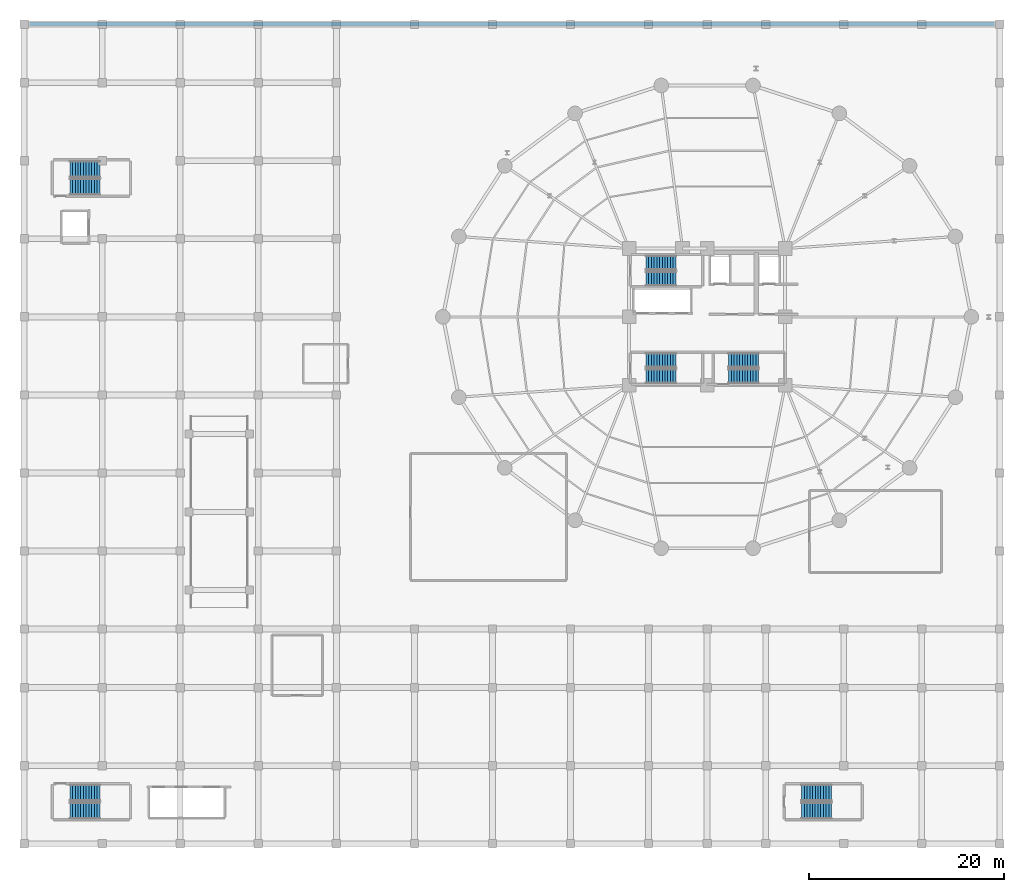
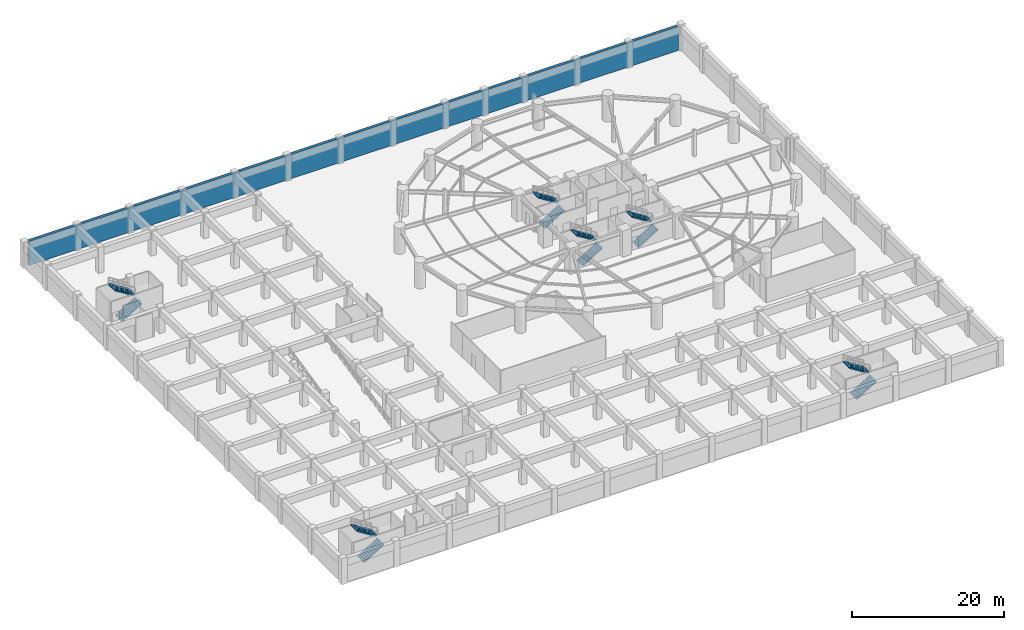
# One storey, part 14 of 20: 12 stair flights, 1 wall, 6 elements without a shape of their own.
"""IFC4 building model written with IfcOpenShell, lengths in metres."""

import ifcopenshell
import ifcopenshell.guid

model = None  # the IFC model being written
_history = None  # IfcOwnerHistory: only IFC2X3 demands one
_inside = {}  # id of a spatial element -> (the spatial element, [elements in it])
_under = {}  # id of a project, library or spatial element -> (it, [spatial elements below it])
_declared = {}  # id of a project -> (the project, [libraries it declares])
_typed = {}  # id of a type object -> (the type object, [elements of that type])
_made_of = {}  # id of a material, layer set ... -> (it, [elements and type objects made of it])


def new_model(schema):
    """Start an empty IFC model of exactly this schema.

    Asked for "IFC4X3", IfcOpenShell would pick the latest addendum, in which some entities
    have other attributes; the version numbers below select the first issue.
    IFC2X3 requires an IfcOwnerHistory on every rooted entity: one is made here for all.
    """
    global model, _history
    if schema == "IFC4X3":
        model = ifcopenshell.file(schema_version=(4, 3, 0, 0))
    else:
        model = ifcopenshell.file(schema=schema)
    _inside.clear()
    _under.clear()
    _declared.clear()
    _typed.clear()
    _made_of.clear()
    _history = None
    if model.schema == "IFC2X3":
        org = make("IfcOrganization", Name="unknown")
        user = make(
            "IfcPersonAndOrganization",
            ThePerson=make("IfcPerson", FamilyName="unknown"),
            TheOrganization=org,
        )
        app = make(
            "IfcApplication",
            ApplicationDeveloper=org,
            Version="unknown",
            ApplicationFullName="unknown",
            ApplicationIdentifier="unknown",
        )
        _history = make(
            "IfcOwnerHistory",
            OwningUser=user,
            OwningApplication=app,
            ChangeAction="ADDED",
            CreationDate=0,
        )
    return model


def make(cls, **values):
    """One entity of the class cls with the attributes given. An attribute that is None is left unset."""
    return model.create_entity(
        cls, **{name: value for name, value in values.items() if value is not None}
    )


def rooted(cls, **values):
    """An entity with a GlobalId (a new one), such as an element, a storey or a relation."""
    return make(cls, GlobalId=ifcopenshell.guid.new(), OwnerHistory=_history, **values)


def si_unit(unit_type, name, prefix=None):
    """IfcSIUnit, for example si_unit("LENGTHUNIT", "METRE", prefix="MILLI")."""
    return make("IfcSIUnit", UnitType=unit_type, Prefix=prefix, Name=name)


def assignment(units):
    """IfcUnitAssignment: the units of a project."""
    return None if units is None else make("IfcUnitAssignment", Units=units)


def point(xyz):
    """IfcCartesianPoint."""
    return None if xyz is None else make("IfcCartesianPoint", Coordinates=xyz)


def direction(xyz):
    """IfcDirection."""
    return None if xyz is None else make("IfcDirection", DirectionRatios=xyz)


def frame(location, z_axis=None, x_axis=None):
    """IfcAxis2Placement3D, a coordinate frame: its origin and axes. An axis left out is left unset."""
    return make(
        "IfcAxis2Placement3D",
        Location=point(location),
        Axis=direction(z_axis),
        RefDirection=direction(x_axis),
    )


def frame_2d(location, x_axis=None):
    """IfcAxis2Placement2D, a coordinate frame in the plane: its origin and x axis."""
    return make(
        "IfcAxis2Placement2D", Location=point(location), RefDirection=direction(x_axis)
    )


def origin():
    """The frame at (0, 0, 0) with its axes left unset."""
    return frame((0.0, 0.0, 0.0))


def place(relative_to, where):
    """IfcLocalPlacement: puts the frame where relative to a parent placement (None: the world)."""
    return make(
        "IfcLocalPlacement", PlacementRelTo=relative_to, RelativePlacement=where
    )


def context(
    kind, dimensions, precision=None, world=None, true_north=None, identifier=None
):
    """IfcGeometricRepresentationContext, for example the 3D "Model" context."""
    return make(
        "IfcGeometricRepresentationContext",
        ContextIdentifier=identifier,
        ContextType=kind,
        CoordinateSpaceDimension=dimensions,
        Precision=precision,
        WorldCoordinateSystem=world,
        TrueNorth=true_north,
    )


def subcontext(parent, identifier, kind, view, scale=None):
    """IfcGeometricRepresentationSubContext, for example "Body" below "Model"."""
    return make(
        "IfcGeometricRepresentationSubContext",
        ContextIdentifier=identifier,
        ContextType=kind,
        ParentContext=parent,
        TargetScale=scale,
        TargetView=view,
    )


def project(units=None, contexts=None):
    """IfcProject with its units and contexts."""
    return rooted(
        "IfcProject",
        Name="project",
        RepresentationContexts=contexts,
        UnitsInContext=assignment(units),
    )


def spatial(cls, under=None, at=None, **own):
    """A site, building, storey or space (cls), placed at a placement, below another one or the project."""
    s = rooted(cls, ObjectPlacement=at, **own)
    if under is not None:
        _under.setdefault(under.id(), (under, []))[1].append(s)
    return s


def polyline(points):
    """IfcPolyline through the points."""
    return make("IfcPolyline", Points=[point(p) for p in points])


def profile(cls, at=None, kind="AREA", **sizes):
    """A parametric profile (cls). Its sizes go by their IFC names, for example OverallWidth=200.0."""
    return make(cls, ProfileType=kind, Position=at, **sizes)


def rectangle(**sizes):
    """IfcRectangleProfileDef."""
    return profile("IfcRectangleProfileDef", **sizes)


def outline(outer, holes=None, kind="AREA"):
    """IfcArbitraryClosedProfileDef: a profile drawn as a closed curve; with holes, ...WithVoids."""
    if holes is None:
        return make("IfcArbitraryClosedProfileDef", ProfileType=kind, OuterCurve=outer)
    return make(
        "IfcArbitraryProfileDefWithVoids",
        ProfileType=kind,
        OuterCurve=outer,
        InnerCurves=holes,
    )


def extrude(swept, where, along, depth):
    """IfcExtrudedAreaSolid: the profile swept, set in the frame where, extruded along a direction by depth."""
    return make(
        "IfcExtrudedAreaSolid",
        SweptArea=swept,
        Position=where,
        ExtrudedDirection=direction(along),
        Depth=depth,
    )


def shape(context_of_items, identifier, shape_type, items):
    """IfcShapeRepresentation: the items that make up one representation, for example the "Body"."""
    return make(
        "IfcShapeRepresentation",
        ContextOfItems=context_of_items,
        RepresentationIdentifier=identifier,
        RepresentationType=shape_type,
        Items=items,
    )


def material(Name=None, Category=None):
    """IfcMaterial."""
    return make("IfcMaterial", Name=Name, Category=Category)


def layer(
    of_material, thickness, ventilated=None, Name=None, Category=None, Priority=None
):
    """IfcMaterialLayer: one layer of a wall or slab, of a material (None: an air gap)."""
    return make(
        "IfcMaterialLayer",
        Material=of_material,
        LayerThickness=thickness,
        IsVentilated=ventilated,
        Name=Name,
        Category=Category,
        Priority=Priority,
    )


def layer_set(layers, Name=None):
    """IfcMaterialLayerSet."""
    return make("IfcMaterialLayerSet", MaterialLayers=layers, LayerSetName=Name)


def made_of(thing, what):
    """Note that an element or type object is made of a material, layer set ...; save() writes the relation."""
    if what is not None:
        _made_of.setdefault(what.id(), (what, []))[1].append(thing)
    return thing


def type_object(cls, material=None, **own):
    """A type object (cls), such as IfcWallType, which elements share."""
    return made_of(rooted(cls, **own), material)


def element(
    cls,
    number,
    at=None,
    inside=None,
    cuts=None,
    type_object=None,
    material=None,
    context=None,
    identifier="Body",
    shape_type=None,
    held_by="IfcProductDefinitionShape",
    body=None,
    shapes=None,
    **own,
):
    """One element of the class cls, such as IfcWall. Its Tag is "e" and its number.

    at: its placement. inside: the storey or other place that contains it. cuts: it is an
    opening in that element (IfcRelVoidsElement). A single representation is given by context,
    identifier, shape_type and body (its items); several are given by shapes. held_by: the class
    of the entity that holds the representations. save() writes the other relations.
    """
    e = rooted(cls, Tag="e%d" % number, ObjectPlacement=at, **own)
    if body is not None:
        shapes = [shape(context, identifier, shape_type, body)]
    if shapes is not None:
        e.Representation = make(held_by, Representations=shapes)
    if inside is not None:
        _inside.setdefault(inside.id(), (inside, []))[1].append(e)
    if cuts is not None:
        rooted(
            "IfcRelVoidsElement", RelatingBuildingElement=cuts, RelatedOpeningElement=e
        )
    if type_object is not None:
        _typed.setdefault(type_object.id(), (type_object, []))[1].append(e)
    return made_of(e, material)


def aggregate(whole, parts):
    """IfcRelAggregates: a whole, such as a stair, and the parts it consists of."""
    return rooted("IfcRelAggregates", RelatingObject=whole, RelatedObjects=parts)


def save(model, path):
    """Write the relations noted so far, then the file.

    IfcRelAggregates (storeys below a building ...), IfcRelContainedInSpatialStructure (elements
    in a storey), IfcRelDefinesByType, IfcRelAssociatesMaterial and IfcRelDeclares: one each for
    every whole, place, type object, material and project.
    """
    for whole, parts in _under.values():
        aggregate(whole, parts)
    for where, things in _inside.values():
        rooted(
            "IfcRelContainedInSpatialStructure",
            RelatedElements=things,
            RelatingStructure=where,
        )
    for kind, things in _typed.values():
        rooted("IfcRelDefinesByType", RelatedObjects=things, RelatingType=kind)
    for what, things in _made_of.values():
        rooted("IfcRelAssociatesMaterial", RelatedObjects=things, RelatingMaterial=what)
    for by, libraries in _declared.values():
        rooted("IfcRelDeclares", RelatingContext=by, RelatedDefinitions=libraries)
    model.write(path)


model = new_model("IFC4")

# Units and contexts
model_context = context("Model", 3, precision=1e-05, world=origin(), true_north=direction((0.0, 1.0)))
body_context = subcontext(model_context, "Body", "Model", "MODEL_VIEW")
ifc_project = project(units=[si_unit("LENGTHUNIT", "METRE"), si_unit("AREAUNIT", "SQUARE_METRE"), si_unit("VOLUMEUNIT", "CUBIC_METRE"), si_unit("PLANEANGLEUNIT", "RADIAN"), si_unit("MASSUNIT", "GRAM", prefix="KILO")], contexts=[model_context])

# Site, building, storey
site_placement = place(None, origin())
site = spatial("IfcSite", under=ifc_project, at=site_placement, CompositionType="ELEMENT")
building_placement = place(site_placement, origin())
building = spatial("IfcBuilding", under=site, at=building_placement, Name="Kelanora Arch Commons", CompositionType="ELEMENT")
storey_placement = place(building_placement, frame((0.0, 0.0, -4.199951171875)))
storey = spatial("IfcBuildingStorey", under=building, at=storey_placement, Name="B01", CompositionType="ELEMENT", Elevation=-4.199951171875)

# Wall
ifc_material_1 = material(Name="Concrete C45/55 waterproofed retaining wall", Category="concrete")
ifc_layer = layer(ifc_material_1, 0.39990234375)
ifc_layer_set = layer_set([ifc_layer], Name="Concrete C45/55 waterproofed retaining wall")
wall_type = type_object("IfcWallType", Name="W-BSMT-RET", PredefinedType="USERDEFINED", material=ifc_layer_set)
wall_placement = place(storey_placement, frame((103.449951171875, 88.0, 0.0), z_axis=(0.0, 0.0, 1.0), x_axis=(-1.0, 0.0, 0.0)))
element("IfcWall", 1, at=wall_placement, inside=storey, type_object=wall_type, Name="Basement Retaining Wall B01-3", ObjectType="RETAININGWALL", PredefinedType="USERDEFINED", context=body_context, shape_type="SweptSolid", body=[
    extrude(rectangle(XDim=98.89990234375, YDim=0.39990234375, at=frame_2d((49.449951171875, 0.0))), origin(), (0.0, 0.0, 1.0), 3.89990234375),
])

# Stair, stair flights
ifc_material_2 = material(Name="Concrete C40/50", Category="concrete")
stair_type = type_object("IfcStairType", Name="STR-DL-420", PredefinedType="HALF_TURN_STAIR", material=ifc_material_2)
stair_1_placement = place(storey_placement, origin())
stair_1 = element("IfcStair", 2, at=stair_1_placement, inside=storey, type_object=stair_type, Name="B01 ST-T1", PredefinedType="HALF_TURN_STAIR")
stair_flight_type = type_object("IfcStairFlightType", Name="FLT-DL-420", PredefinedType="STRAIGHT", material=ifc_material_2)
stair_flight_1_placement = place(storey_placement, frame((67.719970703125, 61.919921875, 0.0), z_axis=(0.0, 0.0, 1.0), x_axis=(1.0, 0.0, 0.0)))
stair_flight_1 = element("IfcStairFlight", 3, at=stair_flight_1_placement, type_object=stair_flight_type, Name="ST-T1 flight 1", NumberOfRisers=12, NumberOfTreads=11, PredefinedType="STRAIGHT", RiserHeight=0.175, TreadLength=0.28, context=body_context, shape_type="SweptSolid", body=[
    extrude(outline(polyline([(0.0, 0.0), (0.0, 0.175048828125), (0.280029296875, 0.175048828125), (0.280029296875, 0.35009765625), (0.56005859375, 0.35009765625), (0.56005859375, 0.52490234375), (0.840087890625, 0.52490234375), (0.840087890625, 0.699951171875), (1.1201171875, 0.699951171875), (1.1201171875, 0.875), (1.39990234375, 0.875), (1.39990234375, 1.050048828125), (1.679931640625, 1.050048828125), (1.679931640625, 1.22509765625), (1.9599609375, 1.22509765625), (1.9599609375, 1.39990234375), (2.239990234375, 1.39990234375), (2.239990234375, 1.574951171875), (2.52001953125, 1.574951171875), (2.52001953125, 1.75), (2.800048828125, 1.75), (2.800048828125, 1.925048828125), (3.080078125, 1.925048828125), (3.080078125, 2.10009765625), (3.080078125, 1.748291015625), (0.28271484375, 0.0), (0.0, 0.0)])), frame((0.0, 0.739990234375, 0.0), z_axis=(0.0, -1.0, 0.0), x_axis=(1.0, 0.0, 0.0)), (0.0, 0.0, 1.0), 1.47998046875),
])
stair_flight_2_placement = place(storey_placement, frame((70.800048828125, 63.550048828125, 2.099853515625), z_axis=(0.0, 0.0, 1.0), x_axis=(-1.0, 0.0, 0.0)))
stair_flight_2 = element("IfcStairFlight", 4, at=stair_flight_2_placement, type_object=stair_flight_type, Name="ST-T1 flight 2", NumberOfRisers=12, NumberOfTreads=11, PredefinedType="STRAIGHT", RiserHeight=0.175, TreadLength=0.28, context=body_context, shape_type="SweptSolid", body=[
    extrude(outline(polyline([(0.0, 0.0), (0.0, 0.175048828125), (0.280029296875, 0.175048828125), (0.280029296875, 0.35009765625), (0.56005859375, 0.35009765625), (0.56005859375, 0.52490234375), (0.840087890625, 0.52490234375), (0.840087890625, 0.699951171875), (1.1201171875, 0.699951171875), (1.1201171875, 0.875), (1.39990234375, 0.875), (1.39990234375, 1.050048828125), (1.679931640625, 1.050048828125), (1.679931640625, 1.22509765625), (1.9599609375, 1.22509765625), (1.9599609375, 1.39990234375), (2.239990234375, 1.39990234375), (2.239990234375, 1.574951171875), (2.52001953125, 1.574951171875), (2.52001953125, 1.75), (2.800048828125, 1.75), (2.800048828125, 1.925048828125), (3.080078125, 1.925048828125), (3.080078125, 2.10009765625), (3.080078125, 1.748291015625), (0.28271484375, 0.0), (0.0, 0.0)])), frame((0.0, 0.739990234375, 0.0), z_axis=(0.0, -1.0, 0.0), x_axis=(1.0, 0.0, 0.0)), (0.0, 0.0, 1.0), 1.47998046875),
])
aggregate(stair_1, [stair_flight_1, stair_flight_2])

stair_2_placement = place(storey_placement, origin())
stair_2 = element("IfcStair", 5, at=stair_2_placement, inside=storey, type_object=stair_type, Name="B01 ST-T2", PredefinedType="HALF_TURN_STAIR")
stair_flight_3_placement = place(storey_placement, frame((76.199951171875, 51.919921875, 0.0), z_axis=(0.0, 0.0, 1.0), x_axis=(1.0, 0.0, 0.0)))
stair_flight_3 = element("IfcStairFlight", 6, at=stair_flight_3_placement, type_object=stair_flight_type, Name="ST-T2 flight 1", NumberOfRisers=12, NumberOfTreads=11, PredefinedType="STRAIGHT", RiserHeight=0.175, TreadLength=0.28, context=body_context, shape_type="SweptSolid", body=[
    extrude(outline(polyline([(0.0, 0.0), (0.0, 0.175048828125), (0.280029296875, 0.175048828125), (0.280029296875, 0.35009765625), (0.56005859375, 0.35009765625), (0.56005859375, 0.52490234375), (0.840087890625, 0.52490234375), (0.840087890625, 0.699951171875), (1.1201171875, 0.699951171875), (1.1201171875, 0.875), (1.39990234375, 0.875), (1.39990234375, 1.050048828125), (1.679931640625, 1.050048828125), (1.679931640625, 1.22509765625), (1.9599609375, 1.22509765625), (1.9599609375, 1.39990234375), (2.239990234375, 1.39990234375), (2.239990234375, 1.574951171875), (2.52001953125, 1.574951171875), (2.52001953125, 1.75), (2.800048828125, 1.75), (2.800048828125, 1.925048828125), (3.080078125, 1.925048828125), (3.080078125, 2.10009765625), (3.080078125, 1.748291015625), (0.28271484375, 0.0), (0.0, 0.0)])), frame((0.0, 0.739990234375, 0.0), z_axis=(0.0, -1.0, 0.0), x_axis=(1.0, 0.0, 0.0)), (0.0, 0.0, 1.0), 1.47998046875),
])
stair_flight_4_placement = place(storey_placement, frame((79.280029296875, 53.550048828125, 2.099853515625), z_axis=(0.0, 0.0, 1.0), x_axis=(-1.0, 0.0, 0.0)))
stair_flight_4 = element("IfcStairFlight", 7, at=stair_flight_4_placement, type_object=stair_flight_type, Name="ST-T2 flight 2", NumberOfRisers=12, NumberOfTreads=11, PredefinedType="STRAIGHT", RiserHeight=0.175, TreadLength=0.28, context=body_context, shape_type="SweptSolid", body=[
    extrude(outline(polyline([(0.0, 0.0), (0.0, 0.175048828125), (0.280029296875, 0.175048828125), (0.280029296875, 0.35009765625), (0.56005859375, 0.35009765625), (0.56005859375, 0.52490234375), (0.840087890625, 0.52490234375), (0.840087890625, 0.699951171875), (1.1201171875, 0.699951171875), (1.1201171875, 0.875), (1.39990234375, 0.875), (1.39990234375, 1.050048828125), (1.679931640625, 1.050048828125), (1.679931640625, 1.22509765625), (1.9599609375, 1.22509765625), (1.9599609375, 1.39990234375), (2.239990234375, 1.39990234375), (2.239990234375, 1.574951171875), (2.52001953125, 1.574951171875), (2.52001953125, 1.75), (2.800048828125, 1.75), (2.800048828125, 1.925048828125), (3.080078125, 1.925048828125), (3.080078125, 2.10009765625), (3.080078125, 1.748291015625), (0.28271484375, 0.0), (0.0, 0.0)])), frame((0.0, 0.739990234375, 0.0), z_axis=(0.0, -1.0, 0.0), x_axis=(1.0, 0.0, 0.0)), (0.0, 0.0, 1.0), 1.47998046875),
])
aggregate(stair_2, [stair_flight_3, stair_flight_4])

stair_3_placement = place(storey_placement, origin())
stair_3 = element("IfcStair", 8, at=stair_3_placement, inside=storey, type_object=stair_type, Name="B01 ST-T3", PredefinedType="HALF_TURN_STAIR")
stair_flight_5_placement = place(storey_placement, frame((67.719970703125, 51.919921875, 0.0), z_axis=(0.0, 0.0, 1.0), x_axis=(1.0, 0.0, 0.0)))
stair_flight_5 = element("IfcStairFlight", 9, at=stair_flight_5_placement, type_object=stair_flight_type, Name="ST-T3 flight 1", NumberOfRisers=12, NumberOfTreads=11, PredefinedType="STRAIGHT", RiserHeight=0.175, TreadLength=0.28, context=body_context, shape_type="SweptSolid", body=[
    extrude(outline(polyline([(0.0, 0.0), (0.0, 0.175048828125), (0.280029296875, 0.175048828125), (0.280029296875, 0.35009765625), (0.56005859375, 0.35009765625), (0.56005859375, 0.52490234375), (0.840087890625, 0.52490234375), (0.840087890625, 0.699951171875), (1.1201171875, 0.699951171875), (1.1201171875, 0.875), (1.39990234375, 0.875), (1.39990234375, 1.050048828125), (1.679931640625, 1.050048828125), (1.679931640625, 1.22509765625), (1.9599609375, 1.22509765625), (1.9599609375, 1.39990234375), (2.239990234375, 1.39990234375), (2.239990234375, 1.574951171875), (2.52001953125, 1.574951171875), (2.52001953125, 1.75), (2.800048828125, 1.75), (2.800048828125, 1.925048828125), (3.080078125, 1.925048828125), (3.080078125, 2.10009765625), (3.080078125, 1.748291015625), (0.28271484375, 0.0), (0.0, 0.0)])), frame((0.0, 0.739990234375, 0.0), z_axis=(0.0, -1.0, 0.0), x_axis=(1.0, 0.0, 0.0)), (0.0, 0.0, 1.0), 1.47998046875),
])
stair_flight_6_placement = place(storey_placement, frame((70.800048828125, 53.550048828125, 2.099853515625), z_axis=(0.0, 0.0, 1.0), x_axis=(-1.0, 0.0, 0.0)))
stair_flight_6 = element("IfcStairFlight", 10, at=stair_flight_6_placement, type_object=stair_flight_type, Name="ST-T3 flight 2", NumberOfRisers=12, NumberOfTreads=11, PredefinedType="STRAIGHT", RiserHeight=0.175, TreadLength=0.28, context=body_context, shape_type="SweptSolid", body=[
    extrude(outline(polyline([(0.0, 0.0), (0.0, 0.175048828125), (0.280029296875, 0.175048828125), (0.280029296875, 0.35009765625), (0.56005859375, 0.35009765625), (0.56005859375, 0.52490234375), (0.840087890625, 0.52490234375), (0.840087890625, 0.699951171875), (1.1201171875, 0.699951171875), (1.1201171875, 0.875), (1.39990234375, 0.875), (1.39990234375, 1.050048828125), (1.679931640625, 1.050048828125), (1.679931640625, 1.22509765625), (1.9599609375, 1.22509765625), (1.9599609375, 1.39990234375), (2.239990234375, 1.39990234375), (2.239990234375, 1.574951171875), (2.52001953125, 1.574951171875), (2.52001953125, 1.75), (2.800048828125, 1.75), (2.800048828125, 1.925048828125), (3.080078125, 1.925048828125), (3.080078125, 2.10009765625), (3.080078125, 1.748291015625), (0.28271484375, 0.0), (0.0, 0.0)])), frame((0.0, 0.739990234375, 0.0), z_axis=(0.0, -1.0, 0.0), x_axis=(1.0, 0.0, 0.0)), (0.0, 0.0, 1.0), 1.47998046875),
])
aggregate(stair_3, [stair_flight_5, stair_flight_6])

stair_4_placement = place(storey_placement, origin())
stair_4 = element("IfcStair", 11, at=stair_4_placement, inside=storey, type_object=stair_type, Name="B01 ST-M1", PredefinedType="HALF_TURN_STAIR")
stair_flight_7_placement = place(storey_placement, frame((8.679931640625, 7.39990234375, 0.0), z_axis=(0.0, 0.0, 1.0), x_axis=(1.0, 0.0, 0.0)))
stair_flight_7 = element("IfcStairFlight", 12, at=stair_flight_7_placement, type_object=stair_flight_type, Name="ST-M1 flight 1", NumberOfRisers=12, NumberOfTreads=11, PredefinedType="STRAIGHT", RiserHeight=0.175, TreadLength=0.28, context=body_context, shape_type="SweptSolid", body=[
    extrude(outline(polyline([(0.0, 0.0), (0.0, 0.175048828125), (0.280029296875, 0.175048828125), (0.280029296875, 0.35009765625), (0.56005859375, 0.35009765625), (0.56005859375, 0.52490234375), (0.840087890625, 0.52490234375), (0.840087890625, 0.699951171875), (1.1201171875, 0.699951171875), (1.1201171875, 0.875), (1.39990234375, 0.875), (1.39990234375, 1.050048828125), (1.679931640625, 1.050048828125), (1.679931640625, 1.22509765625), (1.9599609375, 1.22509765625), (1.9599609375, 1.39990234375), (2.239990234375, 1.39990234375), (2.239990234375, 1.574951171875), (2.52001953125, 1.574951171875), (2.52001953125, 1.75), (2.800048828125, 1.75), (2.800048828125, 1.925048828125), (3.080078125, 1.925048828125), (3.080078125, 2.10009765625), (3.080078125, 1.748291015625), (0.28271484375, 0.0), (0.0, 0.0)])), frame((0.0, 0.83984375, 0.0), z_axis=(0.0, -1.0, 0.0), x_axis=(1.0, 0.0, 0.0)), (0.0, 0.0, 1.0), 1.679931640625),
])
stair_flight_8_placement = place(storey_placement, frame((11.760009765625, 9.22998046875, 2.099853515625), z_axis=(0.0, 0.0, 1.0), x_axis=(-1.0, 0.0, 0.0)))
stair_flight_8 = element("IfcStairFlight", 13, at=stair_flight_8_placement, type_object=stair_flight_type, Name="ST-M1 flight 2", NumberOfRisers=12, NumberOfTreads=11, PredefinedType="STRAIGHT", RiserHeight=0.175, TreadLength=0.28, context=body_context, shape_type="SweptSolid", body=[
    extrude(outline(polyline([(0.0, 0.0), (0.0, 0.175048828125), (0.280029296875, 0.175048828125), (0.280029296875, 0.35009765625), (0.56005859375, 0.35009765625), (0.56005859375, 0.52490234375), (0.840087890625, 0.52490234375), (0.840087890625, 0.699951171875), (1.1201171875, 0.699951171875), (1.1201171875, 0.875), (1.39990234375, 0.875), (1.39990234375, 1.050048828125), (1.679931640625, 1.050048828125), (1.679931640625, 1.22509765625), (1.9599609375, 1.22509765625), (1.9599609375, 1.39990234375), (2.239990234375, 1.39990234375), (2.239990234375, 1.574951171875), (2.52001953125, 1.574951171875), (2.52001953125, 1.75), (2.800048828125, 1.75), (2.800048828125, 1.925048828125), (3.080078125, 1.925048828125), (3.080078125, 2.10009765625), (3.080078125, 1.748291015625), (0.28271484375, 0.0), (0.0, 0.0)])), frame((0.0, 0.83984375, 0.0), z_axis=(0.0, -1.0, 0.0), x_axis=(1.0, 0.0, 0.0)), (0.0, 0.0, 1.0), 1.679931640625),
])
aggregate(stair_4, [stair_flight_7, stair_flight_8])

stair_5_placement = place(storey_placement, origin())
stair_5 = element("IfcStair", 14, at=stair_5_placement, inside=storey, type_object=stair_type, Name="B01 ST-M2", PredefinedType="HALF_TURN_STAIR")
stair_flight_9_placement = place(storey_placement, frame((83.679931640625, 7.39990234375, 0.0), z_axis=(0.0, 0.0, 1.0), x_axis=(1.0, 0.0, 0.0)))
stair_flight_9 = element("IfcStairFlight", 15, at=stair_flight_9_placement, type_object=stair_flight_type, Name="ST-M2 flight 1", NumberOfRisers=12, NumberOfTreads=11, PredefinedType="STRAIGHT", RiserHeight=0.175, TreadLength=0.28, context=body_context, shape_type="SweptSolid", body=[
    extrude(outline(polyline([(0.0, 0.0), (0.0, 0.175048828125), (0.280029296875, 0.175048828125), (0.280029296875, 0.35009765625), (0.56005859375, 0.35009765625), (0.56005859375, 0.52490234375), (0.840087890625, 0.52490234375), (0.840087890625, 0.699951171875), (1.1201171875, 0.699951171875), (1.1201171875, 0.875), (1.39990234375, 0.875), (1.39990234375, 1.050048828125), (1.679931640625, 1.050048828125), (1.679931640625, 1.22509765625), (1.9599609375, 1.22509765625), (1.9599609375, 1.39990234375), (2.239990234375, 1.39990234375), (2.239990234375, 1.574951171875), (2.52001953125, 1.574951171875), (2.52001953125, 1.75), (2.800048828125, 1.75), (2.800048828125, 1.925048828125), (3.080078125, 1.925048828125), (3.080078125, 2.10009765625), (3.080078125, 1.748291015625), (0.28271484375, 0.0), (0.0, 0.0)])), frame((0.0, 0.83984375, 0.0), z_axis=(0.0, -1.0, 0.0), x_axis=(1.0, 0.0, 0.0)), (0.0, 0.0, 1.0), 1.679931640625),
])
stair_flight_10_placement = place(storey_placement, frame((86.760009765625, 9.22998046875, 2.099853515625), z_axis=(0.0, 0.0, 1.0), x_axis=(-1.0, 0.0, 0.0)))
stair_flight_10 = element("IfcStairFlight", 16, at=stair_flight_10_placement, type_object=stair_flight_type, Name="ST-M2 flight 2", NumberOfRisers=12, NumberOfTreads=11, PredefinedType="STRAIGHT", RiserHeight=0.175, TreadLength=0.28, context=body_context, shape_type="SweptSolid", body=[
    extrude(outline(polyline([(0.0, 0.0), (0.0, 0.175048828125), (0.280029296875, 0.175048828125), (0.280029296875, 0.35009765625), (0.56005859375, 0.35009765625), (0.56005859375, 0.52490234375), (0.840087890625, 0.52490234375), (0.840087890625, 0.699951171875), (1.1201171875, 0.699951171875), (1.1201171875, 0.875), (1.39990234375, 0.875), (1.39990234375, 1.050048828125), (1.679931640625, 1.050048828125), (1.679931640625, 1.22509765625), (1.9599609375, 1.22509765625), (1.9599609375, 1.39990234375), (2.239990234375, 1.39990234375), (2.239990234375, 1.574951171875), (2.52001953125, 1.574951171875), (2.52001953125, 1.75), (2.800048828125, 1.75), (2.800048828125, 1.925048828125), (3.080078125, 1.925048828125), (3.080078125, 2.10009765625), (3.080078125, 1.748291015625), (0.28271484375, 0.0), (0.0, 0.0)])), frame((0.0, 0.83984375, 0.0), z_axis=(0.0, -1.0, 0.0), x_axis=(1.0, 0.0, 0.0)), (0.0, 0.0, 1.0), 1.679931640625),
])
aggregate(stair_5, [stair_flight_9, stair_flight_10])

stair_6_placement = place(storey_placement, origin())
stair_6 = element("IfcStair", 17, at=stair_6_placement, inside=storey, type_object=stair_type, Name="B01 ST-M3", PredefinedType="HALF_TURN_STAIR")
stair_flight_11_placement = place(storey_placement, frame((8.679931640625, 71.320068359375, 0.0), z_axis=(0.0, 0.0, 1.0), x_axis=(1.0, 0.0, 0.0)))
stair_flight_11 = element("IfcStairFlight", 18, at=stair_flight_11_placement, type_object=stair_flight_type, Name="ST-M3 flight 1", NumberOfRisers=12, NumberOfTreads=11, PredefinedType="STRAIGHT", RiserHeight=0.175, TreadLength=0.28, context=body_context, shape_type="SweptSolid", body=[
    extrude(outline(polyline([(0.0, 0.0), (0.0, 0.175048828125), (0.280029296875, 0.175048828125), (0.280029296875, 0.35009765625), (0.56005859375, 0.35009765625), (0.56005859375, 0.52490234375), (0.840087890625, 0.52490234375), (0.840087890625, 0.699951171875), (1.1201171875, 0.699951171875), (1.1201171875, 0.875), (1.39990234375, 0.875), (1.39990234375, 1.050048828125), (1.679931640625, 1.050048828125), (1.679931640625, 1.22509765625), (1.9599609375, 1.22509765625), (1.9599609375, 1.39990234375), (2.239990234375, 1.39990234375), (2.239990234375, 1.574951171875), (2.52001953125, 1.574951171875), (2.52001953125, 1.75), (2.800048828125, 1.75), (2.800048828125, 1.925048828125), (3.080078125, 1.925048828125), (3.080078125, 2.10009765625), (3.080078125, 1.748291015625), (0.28271484375, 0.0), (0.0, 0.0)])), frame((0.0, 0.83984375, 0.0), z_axis=(0.0, -1.0, 0.0), x_axis=(1.0, 0.0, 0.0)), (0.0, 0.0, 1.0), 1.679931640625),
])
stair_flight_12_placement = place(storey_placement, frame((11.760009765625, 73.14990234375, 2.099853515625), z_axis=(0.0, 0.0, 1.0), x_axis=(-1.0, 0.0, 0.0)))
stair_flight_12 = element("IfcStairFlight", 19, at=stair_flight_12_placement, type_object=stair_flight_type, Name="ST-M3 flight 2", NumberOfRisers=12, NumberOfTreads=11, PredefinedType="STRAIGHT", RiserHeight=0.175, TreadLength=0.28, context=body_context, shape_type="SweptSolid", body=[
    extrude(outline(polyline([(0.0, 0.0), (0.0, 0.175048828125), (0.280029296875, 0.175048828125), (0.280029296875, 0.35009765625), (0.56005859375, 0.35009765625), (0.56005859375, 0.52490234375), (0.840087890625, 0.52490234375), (0.840087890625, 0.699951171875), (1.1201171875, 0.699951171875), (1.1201171875, 0.875), (1.39990234375, 0.875), (1.39990234375, 1.050048828125), (1.679931640625, 1.050048828125), (1.679931640625, 1.22509765625), (1.9599609375, 1.22509765625), (1.9599609375, 1.39990234375), (2.239990234375, 1.39990234375), (2.239990234375, 1.574951171875), (2.52001953125, 1.574951171875), (2.52001953125, 1.75), (2.800048828125, 1.75), (2.800048828125, 1.925048828125), (3.080078125, 1.925048828125), (3.080078125, 2.10009765625), (3.080078125, 1.748291015625), (0.28271484375, 0.0), (0.0, 0.0)])), frame((0.0, 0.83984375, 0.0), z_axis=(0.0, -1.0, 0.0), x_axis=(1.0, 0.0, 0.0)), (0.0, 0.0, 1.0), 1.679931640625),
])
aggregate(stair_6, [stair_flight_11, stair_flight_12])

save(model, "model.ifc")
